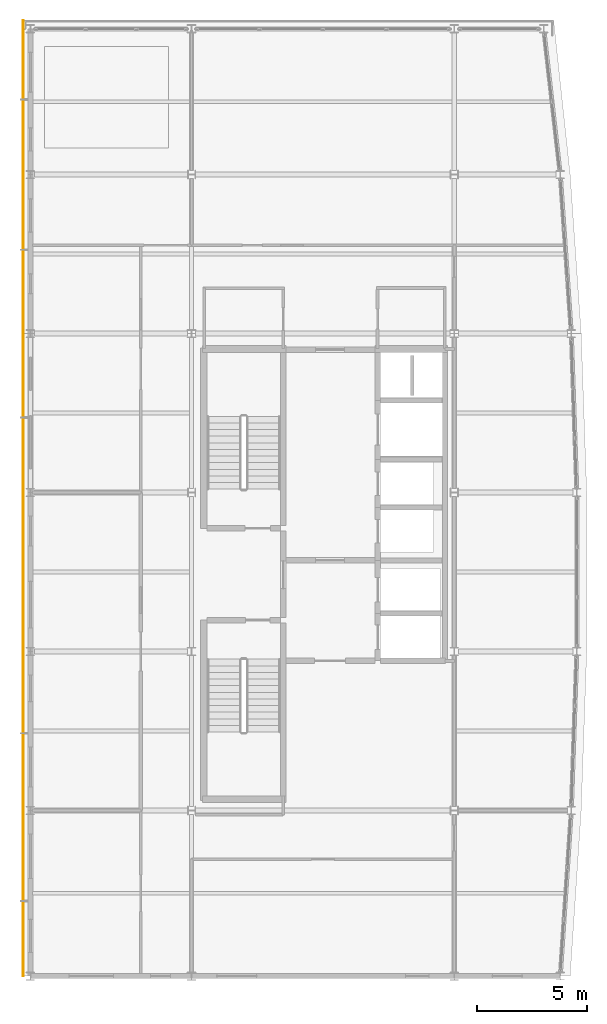
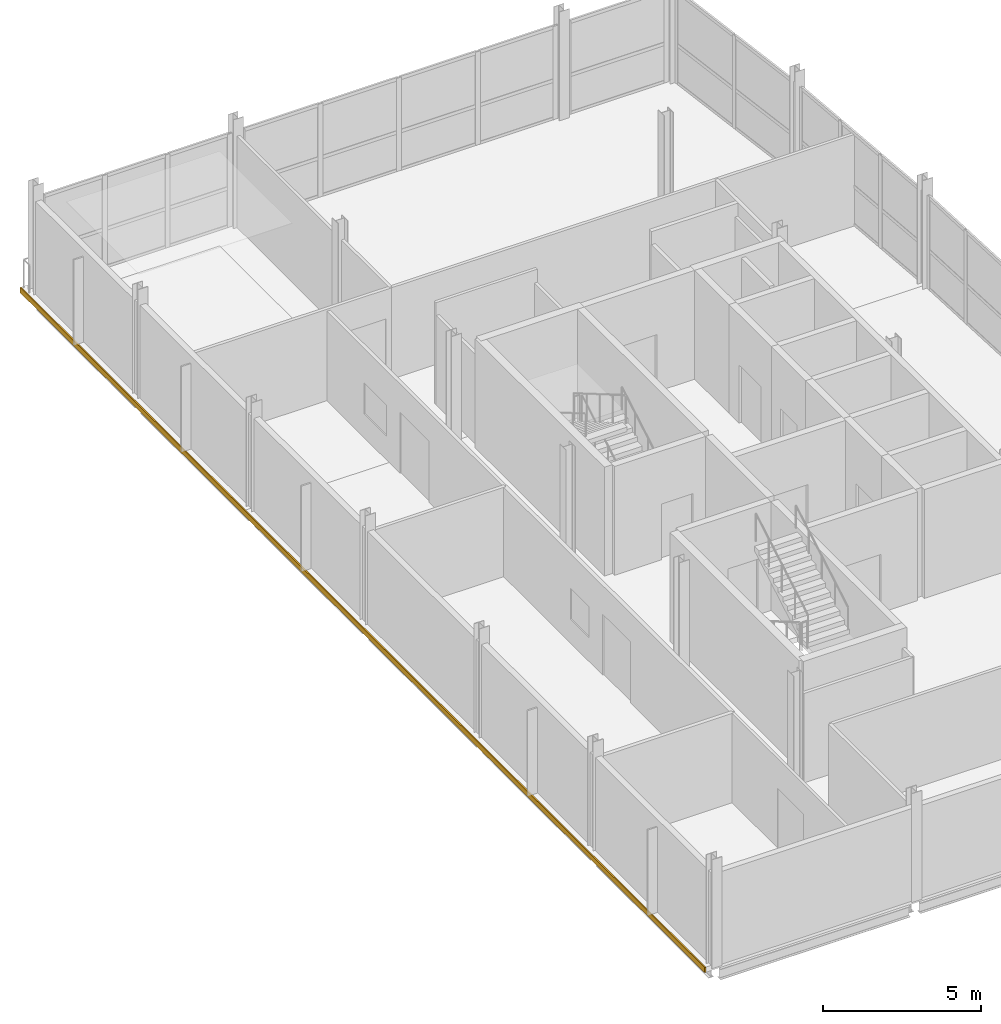
# One storey, part 16 of 17: 1 covering.
"""IFC4 building model written with IfcOpenShell, lengths in metres."""

from ifc_helpers import new_model, si_unit, direction, frame, origin, place, context, subcontext, project, spatial, polyline, outline, extrude, material, layer, layer_set, type_object, element, save


model = new_model("IFC4")

# Units and contexts
model_context = context("Model", 3, precision=1e-05, world=origin(), true_north=direction((0.0, 1.0)))
body_context = subcontext(model_context, "Body", "Model", "MODEL_VIEW")
ifc_project = project(units=[si_unit("LENGTHUNIT", "METRE"), si_unit("AREAUNIT", "SQUARE_METRE"), si_unit("VOLUMEUNIT", "CUBIC_METRE"), si_unit("PLANEANGLEUNIT", "RADIAN"), si_unit("MASSUNIT", "GRAM", prefix="KILO")], contexts=[model_context])

# Site, building, storey
site_placement = place(None, origin())
site = spatial("IfcSite", under=ifc_project, at=site_placement, CompositionType="ELEMENT")
building_placement = place(site_placement, origin())
building = spatial("IfcBuilding", under=site, at=building_placement, Name="Quillay Park Conservatory", CompositionType="ELEMENT")
storey_placement = place(building_placement, frame((0.0, 0.0, 51.89990234375)))
storey = spatial("IfcBuildingStorey", under=building, at=storey_placement, Name="L12", CompositionType="ELEMENT", Elevation=51.89990234375)

# Covering
ifc_material = material(Name="Glass-Fibre Reinforced Concrete (GRC) Cladding", Category="concrete")
ifc_layer = layer(ifc_material, 0.044921875)
ifc_layer_set = layer_set([ifc_layer], Name="GRC SPANDREL CLADDING 45 (Glass-Fibre Reinforced Concrete (GRC) Cladding)")
covering_type = type_object("IfcCoveringType", Name="GRC SPANDREL CLADDING 45", PredefinedType="CLADDING", material=ifc_layer_set)
covering_placement = place(storey_placement, frame((0.0, 0.0, -0.199951171875)))
element("IfcCovering", 1, at=covering_placement, inside=storey, type_object=covering_type, Name="L12 West Folded GRC Spandrel Ribbon", PredefinedType="CLADDING", context=body_context, shape_type="SweptSolid", body=[
    extrude(outline(polyline([(0.205078125, 70.5), (0.25, 70.5), (0.25, 113.800048828125), (0.205078125, 113.800048828125), (0.205078125, 70.5)])), origin(), (0.0, 0.0, 1.0), 0.199951171875),
])

save(model, "model.ifc")
